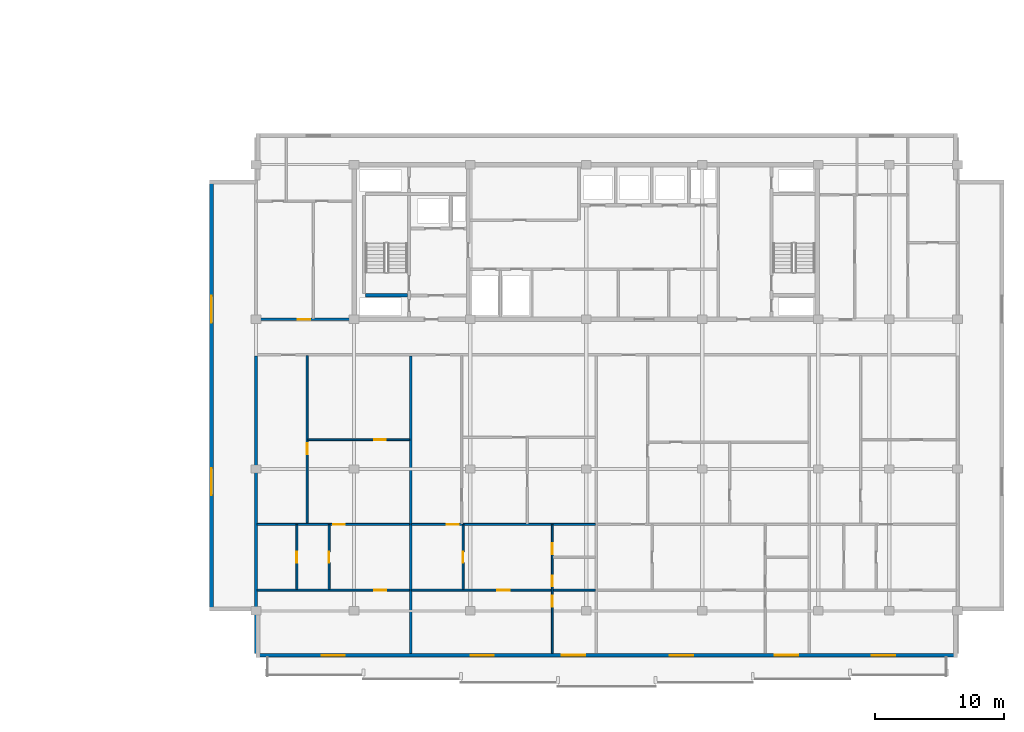
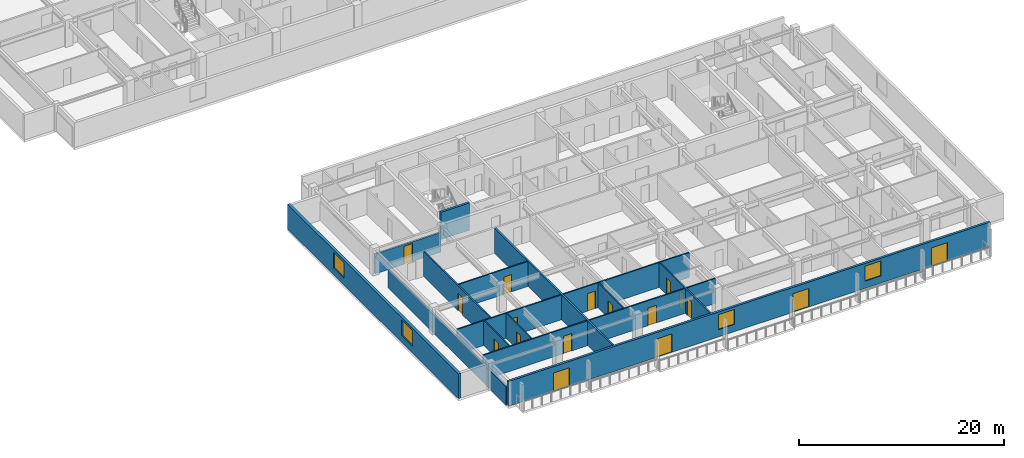
# One storey, part 4 of 21: 17 doors, 16 walls, 4 windows, 21 openings.
"""IFC4 building model written with IfcOpenShell, lengths in metres."""

from ifc_helpers import new_model, si_unit, direction, frame, frame_2d, origin, place, context, subcontext, project, spatial, rectangle, extrude, material, layer, layer_set, type_object, element, fill, save


model = new_model("IFC4")

# Units and contexts
model_context = context("Model", 3, precision=1e-05, world=origin(), true_north=direction((0.0, 1.0)))
body_context = subcontext(model_context, "Body", "Model", "MODEL_VIEW")
ifc_project = project(units=[si_unit("LENGTHUNIT", "METRE"), si_unit("AREAUNIT", "SQUARE_METRE"), si_unit("VOLUMEUNIT", "CUBIC_METRE"), si_unit("PLANEANGLEUNIT", "RADIAN"), si_unit("MASSUNIT", "GRAM", prefix="KILO")], contexts=[model_context])

# Site, building, storey
site_placement = place(None, origin())
site = spatial("IfcSite", under=ifc_project, at=site_placement, CompositionType="ELEMENT")
building_placement = place(site_placement, origin())
building = spatial("IfcBuilding", under=site, at=building_placement, Name="Korimba Cascade Residences", CompositionType="ELEMENT")
storey_placement = place(building_placement, frame((0.0, 0.0, 184.85009765625)))
storey = spatial("IfcBuildingStorey", under=building, at=storey_placement, Name="L53", CompositionType="ELEMENT", Elevation=184.85009765625)

# Wall, openings, doors, windows
ifc_material_1 = material(Name="Precast concrete C40/50", Category="concrete")
ifc_layer_1 = layer(ifc_material_1, 0.25)
ifc_layer_set_1 = layer_set([ifc_layer_1], Name="Precast concrete C40/50")
wall_type_1 = type_object("IfcWallType", Name="EW-LOG-250", PredefinedType="STANDARD", material=ifc_layer_set_1)
wall_1_placement = place(storey_placement, frame((74.5, -7.64990234375, 0.0), z_axis=(0.0, 0.0, 1.0), x_axis=(1.0, 0.0, 0.0)))
wall_1 = element("IfcWall", 1, at=wall_1_placement, inside=storey, type_object=wall_type_1, Name="L53 T2 Perimeter Stone Wall E00", PredefinedType="STANDARD", context=body_context, shape_type="SweptSolid", body=[
    extrude(rectangle(XDim=54.39990234375, YDim=0.25, at=frame_2d((27.199951171875, 0.0))), origin(), (0.0, 0.0, 1.0), 2.969970703125),
])
opening_1_placement = place(wall_1_placement, frame((5.091552734375, 0.0, 0.0)))
opening_1 = element("IfcOpeningElement", 2, at=opening_1_placement, cuts=wall_1, Name="Opening D-LG1", PredefinedType="OPENING", context=body_context, shape_type="SweptSolid", body=[
    extrude(rectangle(XDim=1.800048828125, YDim=2.199951171875, at=frame_2d((0.89990234375, 1.10009765625))), frame((0.0, 0.135009765625, 0.0), z_axis=(0.0, -1.0, 0.0), x_axis=(1.0, 0.0, 0.0)), (0.0, 0.0, 1.0), 0.27001953125),
])
opening_2_placement = place(wall_1_placement, frame((16.637451171875, 0.0, 0.0)))
opening_2 = element("IfcOpeningElement", 3, at=opening_2_placement, cuts=wall_1, Name="Opening D-LG1", PredefinedType="OPENING", context=body_context, shape_type="SweptSolid", body=[
    extrude(rectangle(XDim=1.800048828125, YDim=2.199951171875, at=frame_2d((0.89990234375, 1.10009765625))), frame((0.0, 0.135009765625, 0.0), z_axis=(0.0, -1.0, 0.0), x_axis=(1.0, 0.0, 0.0)), (0.0, 0.0, 1.0), 0.27001953125),
])
opening_3_placement = place(wall_1_placement, frame((23.7216796875, 0.0, 0.85009765625)))
opening_3 = element("IfcOpeningElement", 4, at=opening_3_placement, cuts=wall_1, Name="Opening W-02", PredefinedType="OPENING", context=body_context, shape_type="SweptSolid", body=[
    extrude(rectangle(XDim=1.800048828125, YDim=1.800048828125, at=frame_2d((0.89990234375, 0.89990234375))), frame((0.0, 0.135009765625, 0.0), z_axis=(0.0, -1.0, 0.0), x_axis=(1.0, 0.0, 0.0)), (0.0, 0.0, 1.0), 0.27001953125),
])
opening_4_placement = place(wall_1_placement, frame((32.099853515625, 0.0, 0.0)))
opening_4 = element("IfcOpeningElement", 5, at=opening_4_placement, cuts=wall_1, Name="Opening D-LG1", PredefinedType="OPENING", context=body_context, shape_type="SweptSolid", body=[
    extrude(rectangle(XDim=1.800048828125, YDim=2.199951171875, at=frame_2d((0.89990234375, 1.10009765625))), frame((0.0, 0.135009765625, 0.0), z_axis=(0.0, -1.0, 0.0), x_axis=(1.0, 0.0, 0.0)), (0.0, 0.0, 1.0), 0.27001953125),
])
opening_5_placement = place(wall_1_placement, frame((40.23828125, 0.0, 0.85009765625)))
opening_5 = element("IfcOpeningElement", 6, at=opening_5_placement, cuts=wall_1, Name="Opening W-02", PredefinedType="OPENING", context=body_context, shape_type="SweptSolid", body=[
    extrude(rectangle(XDim=1.800048828125, YDim=1.800048828125, at=frame_2d((0.89990234375, 0.89990234375))), frame((0.0, 0.135009765625, 0.0), z_axis=(0.0, -1.0, 0.0), x_axis=(1.0, 0.0, 0.0)), (0.0, 0.0, 1.0), 0.27001953125),
])
opening_6_placement = place(wall_1_placement, frame((47.754150390625, 0.0, 0.0)))
opening_6 = element("IfcOpeningElement", 7, at=opening_6_placement, cuts=wall_1, Name="Opening D-LG1", PredefinedType="OPENING", context=body_context, shape_type="SweptSolid", body=[
    extrude(rectangle(XDim=1.800048828125, YDim=2.199951171875, at=frame_2d((0.89990234375, 1.10009765625))), frame((0.0, 0.135009765625, 0.0), z_axis=(0.0, -1.0, 0.0), x_axis=(1.0, 0.0, 0.0)), (0.0, 0.0, 1.0), 0.27001953125),
])
ifc_material_2 = material(Name="Glazed Aluminium Loggia Sliding Door", Category="aluminium")
door_type_1 = type_object("IfcDoorType", Name="DR-EXT-LOG", OperationType="NOTDEFINED", PredefinedType="DOOR", material=ifc_material_2)
door_1_placement = place(opening_1_placement, origin())
door_1 = element("IfcDoor", 8, at=door_1_placement, inside=storey, type_object=door_type_1, Name="L53 T2 Loggia Sliding Door 3", OperationType="SLIDING_TO_RIGHT", OverallHeight=2.199951171875, OverallWidth=1.800048828125, PredefinedType="DOOR", context=body_context, shape_type="SweptSolid", body=[
    extrude(rectangle(XDim=1.800048828125, YDim=2.199951171875, at=frame_2d((0.89990234375, 1.10009765625))), frame((0.0, 0.02490234375, 0.0), z_axis=(0.0, -1.0, 0.0), x_axis=(1.0, 0.0, 0.0)), (0.0, 0.0, 1.0), 0.050048828125),
])
fill(opening_1, door_1)
door_2_placement = place(opening_2_placement, origin())
door_2 = element("IfcDoor", 9, at=door_2_placement, inside=storey, type_object=door_type_1, Name="L53 T2 Loggia Sliding Door 4", OperationType="SLIDING_TO_RIGHT", OverallHeight=2.199951171875, OverallWidth=1.800048828125, PredefinedType="DOOR", context=body_context, shape_type="SweptSolid", body=[
    extrude(rectangle(XDim=1.800048828125, YDim=2.199951171875, at=frame_2d((0.89990234375, 1.10009765625))), frame((0.0, 0.02490234375, 0.0), z_axis=(0.0, -1.0, 0.0), x_axis=(1.0, 0.0, 0.0)), (0.0, 0.0, 1.0), 0.050048828125),
])
fill(opening_2, door_2)
door_3_placement = place(opening_4_placement, origin())
door_3 = element("IfcDoor", 10, at=door_3_placement, inside=storey, type_object=door_type_1, Name="L53 T2 Loggia Sliding Door 6", OperationType="SLIDING_TO_RIGHT", OverallHeight=2.199951171875, OverallWidth=1.800048828125, PredefinedType="DOOR", context=body_context, shape_type="SweptSolid", body=[
    extrude(rectangle(XDim=1.800048828125, YDim=2.199951171875, at=frame_2d((0.89990234375, 1.10009765625))), frame((0.0, 0.02490234375, 0.0), z_axis=(0.0, -1.0, 0.0), x_axis=(1.0, 0.0, 0.0)), (0.0, 0.0, 1.0), 0.050048828125),
])
fill(opening_4, door_3)
door_4_placement = place(opening_6_placement, origin())
door_4 = element("IfcDoor", 11, at=door_4_placement, inside=storey, type_object=door_type_1, Name="L53 T2 Loggia Sliding Door 8", OperationType="SLIDING_TO_RIGHT", OverallHeight=2.199951171875, OverallWidth=1.800048828125, PredefinedType="DOOR", context=body_context, shape_type="SweptSolid", body=[
    extrude(rectangle(XDim=1.800048828125, YDim=2.199951171875, at=frame_2d((0.89990234375, 1.10009765625))), frame((0.0, 0.02490234375, 0.0), z_axis=(0.0, -1.0, 0.0), x_axis=(1.0, 0.0, 0.0)), (0.0, 0.0, 1.0), 0.050048828125),
])
fill(opening_6, door_4)
ifc_material_3 = material(Name="Double-Glazed Aluminium Window", Category="aluminium")
window_type_1 = type_object("IfcWindowType", Name="WIN-BED-1800", PartitioningType="SINGLE_PANEL", PredefinedType="WINDOW", material=ifc_material_3)
window_1_placement = place(opening_3_placement, origin())
window_1 = element("IfcWindow", 12, at=window_1_placement, inside=storey, type_object=window_type_1, Name="L53 T2 South Facade Window 5", OverallHeight=1.800048828125, OverallWidth=1.800048828125, PartitioningType="SINGLE_PANEL", PredefinedType="WINDOW", context=body_context, shape_type="SweptSolid", body=[
    extrude(rectangle(XDim=1.800048828125, YDim=1.800048828125, at=frame_2d((0.89990234375, 0.89990234375))), frame((0.0, 0.030029296875, 0.0), z_axis=(0.0, -1.0, 0.0), x_axis=(1.0, 0.0, 0.0)), (0.0, 0.0, 1.0), 0.06005859375),
])
fill(opening_3, window_1)
window_2_placement = place(opening_5_placement, origin())
window_2 = element("IfcWindow", 13, at=window_2_placement, inside=storey, type_object=window_type_1, Name="L53 T2 South Facade Window 7", OverallHeight=1.800048828125, OverallWidth=1.800048828125, PartitioningType="SINGLE_PANEL", PredefinedType="WINDOW", context=body_context, shape_type="SweptSolid", body=[
    extrude(rectangle(XDim=1.800048828125, YDim=1.800048828125, at=frame_2d((0.89990234375, 0.89990234375))), frame((0.0, 0.030029296875, 0.0), z_axis=(0.0, -1.0, 0.0), x_axis=(1.0, 0.0, 0.0)), (0.0, 0.0, 1.0), 0.06005859375),
])
fill(opening_5, window_2)

# Wall, openings, windows
ifc_layer_2 = layer(ifc_material_1, 0.300048828125)
ifc_layer_set_2 = layer_set([ifc_layer_2], Name="Precast concrete C40/50")
wall_type_2 = type_object("IfcWallType", Name="EW-STONE-300", PredefinedType="STANDARD", material=ifc_layer_set_2)
wall_2_placement = place(storey_placement, frame((71.050048828125, 29.199951171875, 0.0), z_axis=(0.0, 0.0, 1.0), x_axis=(0.0, -1.0, 0.0)))
wall_2 = element("IfcWall", 14, at=wall_2_placement, inside=storey, type_object=wall_type_2, Name="L53 T2 Perimeter Stone Wall E09", PredefinedType="STANDARD", context=body_context, shape_type="SweptSolid", body=[
    extrude(rectangle(XDim=33.39990234375, YDim=0.300048828125, at=frame_2d((16.699951171875, 0.0))), origin(), (0.0, 0.0, 1.0), 2.969970703125),
])
opening_7_placement = place(wall_2_placement, frame((8.969970703125, 0.0, 0.85009765625)))
opening_7 = element("IfcOpeningElement", 15, at=opening_7_placement, cuts=wall_2, Name="Opening W-03", PredefinedType="OPENING", context=body_context, shape_type="SweptSolid", body=[
    extrude(rectangle(XDim=2.10009765625, YDim=1.85009765625, at=frame_2d((1.050048828125, 0.925048828125))), frame((0.0, 0.16015625, 0.0), z_axis=(0.0, -1.0, 0.0), x_axis=(1.0, 0.0, 0.0)), (0.0, 0.0, 1.0), 0.320068359375),
])
opening_8_placement = place(wall_2_placement, frame((22.330078125, 0.0, 0.85009765625)))
opening_8 = element("IfcOpeningElement", 16, at=opening_8_placement, cuts=wall_2, Name="Opening W-03", PredefinedType="OPENING", context=body_context, shape_type="SweptSolid", body=[
    extrude(rectangle(XDim=2.10009765625, YDim=1.85009765625, at=frame_2d((1.050048828125, 0.925048828125))), frame((0.0, 0.16015625, 0.0), z_axis=(0.0, -1.0, 0.0), x_axis=(1.0, 0.0, 0.0)), (0.0, 0.0, 1.0), 0.320068359375),
])
window_type_2 = type_object("IfcWindowType", Name="WIN-CRN-2100", PartitioningType="DOUBLE_PANEL_HORIZONTAL", PredefinedType="WINDOW", material=ifc_material_3)
window_3_placement = place(opening_7_placement, origin())
window_3 = element("IfcWindow", 17, at=window_3_placement, inside=storey, type_object=window_type_2, Name="L53 T2 End View Window 9.1", OverallHeight=1.85009765625, OverallWidth=2.10009765625, PartitioningType="DOUBLE_PANEL_HORIZONTAL", PredefinedType="WINDOW", context=body_context, shape_type="SweptSolid", body=[
    extrude(rectangle(XDim=2.10009765625, YDim=1.85009765625, at=frame_2d((1.050048828125, 0.925048828125))), frame((0.0, 0.030029296875, 0.0), z_axis=(0.0, -1.0, 0.0), x_axis=(1.0, 0.0, 0.0)), (0.0, 0.0, 1.0), 0.06005859375),
])
fill(opening_7, window_3)
window_4_placement = place(opening_8_placement, origin())
window_4 = element("IfcWindow", 18, at=window_4_placement, inside=storey, type_object=window_type_2, Name="L53 T2 End View Window 9.2", OverallHeight=1.85009765625, OverallWidth=2.10009765625, PartitioningType="DOUBLE_PANEL_HORIZONTAL", PredefinedType="WINDOW", context=body_context, shape_type="SweptSolid", body=[
    extrude(rectangle(XDim=2.10009765625, YDim=1.85009765625, at=frame_2d((1.050048828125, 0.925048828125))), frame((0.0, 0.030029296875, 0.0), z_axis=(0.0, -1.0, 0.0), x_axis=(1.0, 0.0, 0.0)), (0.0, 0.0, 1.0), 0.06005859375),
])
fill(opening_8, window_4)

# Wall, opening, door
ifc_layer_3 = layer(ifc_material_1, 0.199951171875)
ifc_layer_set_3 = layer_set([ifc_layer_3], Name="Precast concrete C40/50")
wall_type_3 = type_object("IfcWallType", Name="WAL-IT-200", PredefinedType="PARTITIONING", material=ifc_layer_set_3)
wall_3_placement = place(storey_placement, frame((74.5, 18.39990234375, 0.0), z_axis=(0.0, 0.0, 1.0), x_axis=(1.0, 0.0, 0.0)))
wall_3 = element("IfcWall", 19, at=wall_3_placement, inside=storey, type_object=wall_type_3, Name="L53 Partition Wall WAL-L53-T2-FW-S", PredefinedType="PARTITIONING", context=body_context, shape_type="SweptSolid", body=[
    extrude(rectangle(XDim=7.449951171875, YDim=0.199951171875, at=frame_2d((3.72509765625, 0.0))), origin(), (0.0, 0.0, 1.0), 2.357666015625),
])
opening_9_placement = place(wall_3_placement, frame((3.25, 0.0, 0.0)))
opening_9 = element("IfcOpeningElement", 20, at=opening_9_placement, cuts=wall_3, Name="Opening D-UN1", PredefinedType="OPENING", context=body_context, shape_type="SweptSolid", body=[
    extrude(rectangle(XDim=0.949951171875, YDim=2.14990234375, at=frame_2d((0.47509765625, 1.074951171875))), frame((0.0, 0.10986328125, 0.0), z_axis=(0.0, -1.0, 0.0), x_axis=(1.0, 0.0, 0.0)), (0.0, 0.0, 1.0), 0.219970703125),
])
ifc_material_4 = material(Name="Fire-Rated Hardwood Apartment Entrance Door", Category="wood")
door_type_2 = type_object("IfcDoorType", Name="DR-FD60-950", OperationType="NOTDEFINED", PredefinedType="DOOR", material=ifc_material_4)
door_5_placement = place(opening_9_placement, origin())
door_5 = element("IfcDoor", 21, at=door_5_placement, inside=storey, type_object=door_type_2, Name="L53-T2-FW Entrance Door", OperationType="SINGLE_SWING_LEFT", OverallHeight=2.14990234375, OverallWidth=0.949951171875, PredefinedType="DOOR", context=body_context, shape_type="SweptSolid", body=[
    extrude(rectangle(XDim=0.949951171875, YDim=2.14990234375, at=frame_2d((0.47509765625, 1.074951171875))), frame((0.0, 0.02490234375, 0.0), z_axis=(0.0, -1.0, 0.0), x_axis=(1.0, 0.0, 0.0)), (0.0, 0.0, 1.0), 0.050048828125),
])
fill(opening_9, door_5)

# Walls
wall_4_placement = place(storey_placement, frame((74.5, -7.5, 0.0), z_axis=(0.0, 0.0, 1.0), x_axis=(0.0, 1.0, 0.0)))
element("IfcWall", 22, at=wall_4_placement, inside=storey, type_object=wall_type_3, Name="L53 Partition Wall WAL-L53-T2-BNDWL", PredefinedType="PARTITIONING", context=body_context, shape_type="SweptSolid", body=[
    extrude(rectangle(XDim=23.070068359375, YDim=0.199951171875, at=frame_2d((11.53515625, 0.0))), origin(), (0.0, 0.0, 1.0), 2.2001953125),
])
wall_5_placement = place(storey_placement, frame((86.4833984375, -7.5, 0.0), z_axis=(0.0, 0.0, 1.0), x_axis=(0.0, 1.0, 0.0)))
element("IfcWall", 23, at=wall_5_placement, inside=storey, type_object=wall_type_3, Name="L53 Partition Wall WAL-L53-T2-DEM-1", PredefinedType="PARTITIONING", context=body_context, shape_type="SweptSolid", body=[
    extrude(rectangle(XDim=23.070068359375, YDim=0.199951171875, at=frame_2d((11.53515625, 0.0))), origin(), (0.0, 0.0, 1.0), 2.969970703125),
])

# Wall, opening, door
ifc_material_5 = material(Name="Insulated Acoustic Stud Partition", Category="gypsum")
ifc_layer_4 = layer(ifc_material_5, 0.14990234375)
ifc_layer_set_4 = layer_set([ifc_layer_4], Name="Insulated Acoustic Stud Partition")
wall_type_4 = type_object("IfcWallType", Name="WAL-PART-150", PredefinedType="PARTITIONING", material=ifc_layer_set_4)
wall_6_placement = place(storey_placement, frame((78.530029296875, 9.06494140625, 0.0), z_axis=(0.0, 0.0, 1.0), x_axis=(1.0, 0.0, 0.0)))
wall_6 = element("IfcWall", 24, at=wall_6_placement, inside=storey, type_object=wall_type_4, Name="L53 Partition Wall WAL-L53-T2-U01-FMH", PredefinedType="PARTITIONING", context=body_context, shape_type="SweptSolid", body=[
    extrude(rectangle(XDim=7.873291015625, YDim=0.14990234375, at=frame_2d((3.9365234375, 0.0))), origin(), (0.0, 0.0, 1.0), 2.969970703125),
])
opening_10_placement = place(wall_6_placement, frame((5.1328125, 0.0, 0.0)))
opening_10 = element("IfcOpeningElement", 25, at=opening_10_placement, cuts=wall_6, Name="Opening D-IN2", PredefinedType="OPENING", context=body_context, shape_type="SweptSolid", body=[
    extrude(rectangle(XDim=0.8798828125, YDim=2.06005859375, at=frame_2d((0.43994140625, 1.030029296875))), frame((0.0, 0.0849609375, 0.0), z_axis=(0.0, -1.0, 0.0), x_axis=(1.0, 0.0, 0.0)), (0.0, 0.0, 1.0), 0.169921875),
])
ifc_material_6 = material(Name="Acoustic Timber Bedroom Door", Category="wood")
door_type_3 = type_object("IfcDoorType", Name="DR-INT-880", OperationType="NOTDEFINED", PredefinedType="DOOR", material=ifc_material_6)
door_6_placement = place(opening_10_placement, origin())
door_6 = element("IfcDoor", 26, at=door_6_placement, inside=storey, type_object=door_type_3, Name="L53-T2-U01 Library Salon Door", OperationType="SINGLE_SWING_RIGHT", OverallHeight=2.06005859375, OverallWidth=0.8798828125, PredefinedType="DOOR", context=body_context, shape_type="SweptSolid", body=[
    extrude(rectangle(XDim=0.8798828125, YDim=2.06005859375, at=frame_2d((0.43994140625, 1.030029296875))), frame((0.0, 0.02490234375, 0.0), z_axis=(0.0, -1.0, 0.0), x_axis=(1.0, 0.0, 0.0)), (0.0, 0.0, 1.0), 0.050048828125),
])
fill(opening_10, door_6)

wall_7_placement = place(storey_placement, frame((78.469970703125, 2.5400390625, 0.0), z_axis=(0.0, 0.0, 1.0), x_axis=(0.0, 1.0, 0.0)))
wall_7 = element("IfcWall", 27, at=wall_7_placement, inside=storey, type_object=wall_type_4, Name="L53 Partition Wall WAL-L53-T2-U01-FV", PredefinedType="PARTITIONING", context=body_context, shape_type="SweptSolid", body=[
    extrude(rectangle(XDim=13.050048828125, YDim=0.14990234375, at=frame_2d((6.52490234375, 0.0))), origin(), (0.0, 0.0, 1.0), 2.969970703125),
])
opening_11_placement = place(wall_7_placement, frame((5.39501953125, 0.0, 0.0)))
opening_11 = element("IfcOpeningElement", 28, at=opening_11_placement, cuts=wall_7, Name="Opening D-IN2", PredefinedType="OPENING", context=body_context, shape_type="SweptSolid", body=[
    extrude(rectangle(XDim=0.8798828125, YDim=2.06005859375, at=frame_2d((0.43994140625, 1.030029296875))), frame((0.0, 0.0849609375, 0.0), z_axis=(0.0, -1.0, 0.0), x_axis=(1.0, 0.0, 0.0)), (0.0, 0.0, 1.0), 0.169921875),
])
door_7_placement = place(opening_11_placement, origin())
door_7 = element("IfcDoor", 29, at=door_7_placement, inside=storey, type_object=door_type_3, Name="L53-T2-U01 Media Lounge Door", OperationType="SINGLE_SWING_LEFT", OverallHeight=2.06005859375, OverallWidth=0.8798828125, PredefinedType="DOOR", context=body_context, shape_type="SweptSolid", body=[
    extrude(rectangle(XDim=0.8798828125, YDim=2.06005859375, at=frame_2d((0.43994140625, 1.030029296875))), frame((0.0, 0.02490234375, 0.0), z_axis=(0.0, -1.0, 0.0), x_axis=(1.0, 0.0, 0.0)), (0.0, 0.0, 1.0), 0.050048828125),
])
fill(opening_11, door_7)

wall_8_placement = place(storey_placement, frame((77.663330078125, -2.5400390625, 0.0), z_axis=(0.0, 0.0, 1.0), x_axis=(0.0, 1.0, 0.0)))
wall_8 = element("IfcWall", 30, at=wall_8_placement, inside=storey, type_object=wall_type_4, Name="L53 Partition Wall WAL-L53-T2-U01-CLS", PredefinedType="PARTITIONING", context=body_context, shape_type="SweptSolid", body=[
    extrude(rectangle(XDim=5.0, YDim=0.14990234375, at=frame_2d((2.5, 0.0))), origin(), (0.0, 0.0, 1.0), 2.969970703125),
])
opening_12_placement = place(wall_8_placement, frame((2.080078125, 0.0, 0.0)))
opening_12 = element("IfcOpeningElement", 31, at=opening_12_placement, cuts=wall_8, Name="Opening D-BT1", PredefinedType="OPENING", context=body_context, shape_type="SweptSolid", body=[
    extrude(rectangle(XDim=0.840087890625, YDim=2.0400390625, at=frame_2d((0.419921875, 1.02001953125))), frame((0.0, 0.0849609375, 0.0), z_axis=(0.0, -1.0, 0.0), x_axis=(1.0, 0.0, 0.0)), (0.0, 0.0, 1.0), 0.169921875),
])
ifc_material_7 = material(Name="Moisture-Resistant Bathroom Timber Door", Category="wood")
door_type_4 = type_object("IfcDoorType", Name="DR-INT-850", OperationType="NOTDEFINED", PredefinedType="DOOR", material=ifc_material_7)
door_8_placement = place(opening_12_placement, origin())
door_8 = element("IfcDoor", 32, at=door_8_placement, inside=storey, type_object=door_type_4, Name="L53-T2-U01 Closet Door", OperationType="SINGLE_SWING_RIGHT", OverallHeight=2.0400390625, OverallWidth=0.840087890625, PredefinedType="DOOR", context=body_context, shape_type="SweptSolid", body=[
    extrude(rectangle(XDim=0.840087890625, YDim=2.0400390625, at=frame_2d((0.419921875, 1.02001953125))), frame((0.0, 0.02490234375, 0.0), z_axis=(0.0, -1.0, 0.0), x_axis=(1.0, 0.0, 0.0)), (0.0, 0.0, 1.0), 0.050048828125),
])
fill(opening_12, door_8)

wall_9_placement = place(storey_placement, frame((80.163330078125, -2.5400390625, 0.0), z_axis=(0.0, 0.0, 1.0), x_axis=(0.0, 1.0, 0.0)))
wall_9 = element("IfcWall", 33, at=wall_9_placement, inside=storey, type_object=wall_type_4, Name="L53 Partition Wall WAL-L53-T2-U01-BM", PredefinedType="PARTITIONING", context=body_context, shape_type="SweptSolid", body=[
    extrude(rectangle(XDim=5.0, YDim=0.14990234375, at=frame_2d((2.5, 0.0))), origin(), (0.0, 0.0, 1.0), 2.969970703125),
])
opening_13_placement = place(wall_9_placement, frame((2.080078125, 0.0, 0.0)))
opening_13 = element("IfcOpeningElement", 34, at=opening_13_placement, cuts=wall_9, Name="Opening D-BT1", PredefinedType="OPENING", context=body_context, shape_type="SweptSolid", body=[
    extrude(rectangle(XDim=0.840087890625, YDim=2.0400390625, at=frame_2d((0.419921875, 1.02001953125))), frame((0.0, 0.0849609375, 0.0), z_axis=(0.0, -1.0, 0.0), x_axis=(1.0, 0.0, 0.0)), (0.0, 0.0, 1.0), 0.169921875),
])
door_9_placement = place(opening_13_placement, origin())
door_9 = element("IfcDoor", 35, at=door_9_placement, inside=storey, type_object=door_type_4, Name="L53-T2-U01 Bathroom Door", OperationType="SINGLE_SWING_LEFT", OverallHeight=2.0400390625, OverallWidth=0.840087890625, PredefinedType="DOOR", context=body_context, shape_type="SweptSolid", body=[
    extrude(rectangle(XDim=0.840087890625, YDim=2.0400390625, at=frame_2d((0.419921875, 1.02001953125))), frame((0.0, 0.02490234375, 0.0), z_axis=(0.0, -1.0, 0.0), x_axis=(1.0, 0.0, 0.0)), (0.0, 0.0, 1.0), 0.050048828125),
])
fill(opening_13, door_9)

wall_10_placement = place(storey_placement, frame((74.580078125, 2.5, 0.0), z_axis=(0.0, 0.0, 1.0), x_axis=(1.0, 0.0, 0.0)))
wall_10 = element("IfcWall", 36, at=wall_10_placement, inside=storey, type_object=wall_type_4, Name="L53 Partition Wall WAL-L53-T2-U01-MW", PredefinedType="PARTITIONING", context=body_context, shape_type="SweptSolid", body=[
    extrude(rectangle(XDim=11.8232421875, YDim=0.14990234375, at=frame_2d((5.91162109375, 0.0))), origin(), (0.0, 0.0, 1.0), 2.969970703125),
])
opening_14_placement = place(wall_10_placement, frame((5.8994140625, 0.0, 0.0)))
opening_14 = element("IfcOpeningElement", 37, at=opening_14_placement, cuts=wall_10, Name="Opening D-IN1", PredefinedType="OPENING", context=body_context, shape_type="SweptSolid", body=[
    extrude(rectangle(XDim=0.919921875, YDim=2.080078125, at=frame_2d((0.4599609375, 1.0400390625))), frame((0.0, 0.0849609375, 0.0), z_axis=(0.0, -1.0, 0.0), x_axis=(1.0, 0.0, 0.0)), (0.0, 0.0, 1.0), 0.169921875),
])
ifc_material_8 = material(Name="Acoustic Timber Living Door", Category="wood")
door_type_5 = type_object("IfcDoorType", Name="DR-INT-920", OperationType="NOTDEFINED", PredefinedType="DOOR", material=ifc_material_8)
door_10_placement = place(opening_14_placement, origin())
door_10 = element("IfcDoor", 38, at=door_10_placement, inside=storey, type_object=door_type_5, Name="L53-T2-U01 Studio Kitchen Door", OperationType="SINGLE_SWING_RIGHT", OverallHeight=2.080078125, OverallWidth=0.919921875, PredefinedType="DOOR", context=body_context, shape_type="SweptSolid", body=[
    extrude(rectangle(XDim=0.919921875, YDim=2.080078125, at=frame_2d((0.4599609375, 1.0400390625))), frame((0.0, 0.02490234375, 0.0), z_axis=(0.0, -1.0, 0.0), x_axis=(1.0, 0.0, 0.0)), (0.0, 0.0, 1.0), 0.050048828125),
])
fill(opening_14, door_10)

wall_11_placement = place(storey_placement, frame((74.580078125, -2.60009765625, 0.0), z_axis=(0.0, 0.0, 1.0), x_axis=(1.0, 0.0, 0.0)))
wall_11 = element("IfcWall", 39, at=wall_11_placement, inside=storey, type_object=wall_type_4, Name="L53 Partition Wall WAL-L53-T2-U01-HZ", PredefinedType="PARTITIONING", context=body_context, shape_type="SweptSolid", body=[
    extrude(rectangle(XDim=11.8232421875, YDim=0.14990234375, at=frame_2d((5.91162109375, 0.0))), origin(), (0.0, 0.0, 1.0), 2.969970703125),
])
opening_15_placement = place(wall_11_placement, frame((9.083740234375, 0.0, 0.0)))
opening_15 = element("IfcOpeningElement", 40, at=opening_15_placement, cuts=wall_11, Name="Opening D-IN1", PredefinedType="OPENING", context=body_context, shape_type="SweptSolid", body=[
    extrude(rectangle(XDim=0.919921875, YDim=2.080078125, at=frame_2d((0.4599609375, 1.0400390625))), frame((0.0, 0.0849609375, 0.0), z_axis=(0.0, -1.0, 0.0), x_axis=(1.0, 0.0, 0.0)), (0.0, 0.0, 1.0), 0.169921875),
])
door_11_placement = place(opening_15_placement, origin())
door_11 = element("IfcDoor", 41, at=door_11_placement, inside=storey, type_object=door_type_5, Name="L53-T2-U01 Studio Door", OperationType="SINGLE_SWING_LEFT", OverallHeight=2.080078125, OverallWidth=0.919921875, PredefinedType="DOOR", context=body_context, shape_type="SweptSolid", body=[
    extrude(rectangle(XDim=0.919921875, YDim=2.080078125, at=frame_2d((0.4599609375, 1.0400390625))), frame((0.0, 0.02490234375, 0.0), z_axis=(0.0, -1.0, 0.0), x_axis=(1.0, 0.0, 0.0)), (0.0, 0.0, 1.0), 0.050048828125),
])
fill(opening_15, door_11)

wall_12_placement = place(storey_placement, frame((90.55322265625, -2.5400390625, 0.0), z_axis=(0.0, 0.0, 1.0), x_axis=(0.0, 1.0, 0.0)))
wall_12 = element("IfcWall", 42, at=wall_12_placement, inside=storey, type_object=wall_type_4, Name="L53 Partition Wall WAL-L53-T2-U02-VDIN", PredefinedType="PARTITIONING", context=body_context, shape_type="SweptSolid", body=[
    extrude(rectangle(XDim=5.0, YDim=0.14990234375, at=frame_2d((2.5, 0.0))), origin(), (0.0, 0.0, 1.0), 2.969970703125),
])
opening_16_placement = place(wall_12_placement, frame((2.06005859375, 0.0, 0.0)))
opening_16 = element("IfcOpeningElement", 43, at=opening_16_placement, cuts=wall_12, Name="Opening D-IN2", PredefinedType="OPENING", context=body_context, shape_type="SweptSolid", body=[
    extrude(rectangle(XDim=0.8798828125, YDim=2.06005859375, at=frame_2d((0.43994140625, 1.030029296875))), frame((0.0, 0.0849609375, 0.0), z_axis=(0.0, -1.0, 0.0), x_axis=(1.0, 0.0, 0.0)), (0.0, 0.0, 1.0), 0.169921875),
])
door_12_placement = place(opening_16_placement, origin())
door_12 = element("IfcDoor", 44, at=door_12_placement, inside=storey, type_object=door_type_3, Name="L53-T2-U02 Dining Room Door", OperationType="SINGLE_SWING_LEFT", OverallHeight=2.06005859375, OverallWidth=0.8798828125, PredefinedType="DOOR", context=body_context, shape_type="SweptSolid", body=[
    extrude(rectangle(XDim=0.8798828125, YDim=2.06005859375, at=frame_2d((0.43994140625, 1.030029296875))), frame((0.0, 0.02490234375, 0.0), z_axis=(0.0, -1.0, 0.0), x_axis=(1.0, 0.0, 0.0)), (0.0, 0.0, 1.0), 0.050048828125),
])
fill(opening_16, door_12)

# Wall, openings, doors
wall_13_placement = place(storey_placement, frame((97.4716796875, -7.5, 0.0), z_axis=(0.0, 0.0, 1.0), x_axis=(0.0, 1.0, 0.0)))
wall_13 = element("IfcWall", 45, at=wall_13_placement, inside=storey, type_object=wall_type_4, Name="L53 Partition Wall WAL-L53-T2-U02-V1", PredefinedType="PARTITIONING", context=body_context, shape_type="SweptSolid", body=[
    extrude(rectangle(XDim=9.9599609375, YDim=0.14990234375, at=frame_2d((4.97998046875, 0.0))), origin(), (0.0, 0.0, 1.0), 2.969970703125),
])
opening_17_placement = place(wall_13_placement, frame((5.199951171875, 0.0, 0.0)))
opening_17 = element("IfcOpeningElement", 46, at=opening_17_placement, cuts=wall_13, Name="Opening D-BT1", PredefinedType="OPENING", context=body_context, shape_type="SweptSolid", body=[
    extrude(rectangle(XDim=0.840087890625, YDim=2.0400390625, at=frame_2d((0.419921875, 1.02001953125))), frame((0.0, 0.0849609375, 0.0), z_axis=(0.0, -1.0, 0.0), x_axis=(1.0, 0.0, 0.0)), (0.0, 0.0, 1.0), 0.169921875),
])
opening_18_placement = place(wall_13_placement, frame((7.689697265625, 0.0, 0.0)))
opening_18 = element("IfcOpeningElement", 47, at=opening_18_placement, cuts=wall_13, Name="Opening D-BT1", PredefinedType="OPENING", context=body_context, shape_type="SweptSolid", body=[
    extrude(rectangle(XDim=0.840087890625, YDim=2.0400390625, at=frame_2d((0.419921875, 1.02001953125))), frame((0.0, 0.0849609375, 0.0), z_axis=(0.0, -1.0, 0.0), x_axis=(1.0, 0.0, 0.0)), (0.0, 0.0, 1.0), 0.169921875),
])
opening_19_placement = place(wall_13_placement, frame((3.60009765625, 0.0, 0.0)))
opening_19 = element("IfcOpeningElement", 48, at=opening_19_placement, cuts=wall_13, Name="Opening D-IN2", PredefinedType="OPENING", context=body_context, shape_type="SweptSolid", body=[
    extrude(rectangle(XDim=0.8798828125, YDim=2.06005859375, at=frame_2d((0.43994140625, 1.030029296875))), frame((0.0, 0.0849609375, 0.0), z_axis=(0.0, -1.0, 0.0), x_axis=(1.0, 0.0, 0.0)), (0.0, 0.0, 1.0), 0.169921875),
])
door_13_placement = place(opening_17_placement, origin())
door_13 = element("IfcDoor", 49, at=door_13_placement, inside=storey, type_object=door_type_4, Name="L53-T2-U02 Bathroom Door", OperationType="SINGLE_SWING_RIGHT", OverallHeight=2.0400390625, OverallWidth=0.840087890625, PredefinedType="DOOR", context=body_context, shape_type="SweptSolid", body=[
    extrude(rectangle(XDim=0.840087890625, YDim=2.0400390625, at=frame_2d((0.419921875, 1.02001953125))), frame((0.0, 0.02490234375, 0.0), z_axis=(0.0, -1.0, 0.0), x_axis=(1.0, 0.0, 0.0)), (0.0, 0.0, 1.0), 0.050048828125),
])
fill(opening_17, door_13)
door_14_placement = place(opening_18_placement, origin())
door_14 = element("IfcDoor", 50, at=door_14_placement, inside=storey, type_object=door_type_4, Name="L53-T2-U02 Laundry Door", OperationType="SINGLE_SWING_LEFT", OverallHeight=2.0400390625, OverallWidth=0.840087890625, PredefinedType="DOOR", context=body_context, shape_type="SweptSolid", body=[
    extrude(rectangle(XDim=0.840087890625, YDim=2.0400390625, at=frame_2d((0.419921875, 1.02001953125))), frame((0.0, 0.02490234375, 0.0), z_axis=(0.0, -1.0, 0.0), x_axis=(1.0, 0.0, 0.0)), (0.0, 0.0, 1.0), 0.050048828125),
])
fill(opening_18, door_14)
door_15_placement = place(opening_19_placement, origin())
door_15 = element("IfcDoor", 51, at=door_15_placement, inside=storey, type_object=door_type_3, Name="L53-T2-U02 Bedroom 1 Door", OperationType="SINGLE_SWING_RIGHT", OverallHeight=2.06005859375, OverallWidth=0.8798828125, PredefinedType="DOOR", context=body_context, shape_type="SweptSolid", body=[
    extrude(rectangle(XDim=0.8798828125, YDim=2.06005859375, at=frame_2d((0.43994140625, 1.030029296875))), frame((0.0, 0.02490234375, 0.0), z_axis=(0.0, -1.0, 0.0), x_axis=(1.0, 0.0, 0.0)), (0.0, 0.0, 1.0), 0.050048828125),
])
fill(opening_19, door_15)

# Wall, opening, door
wall_14_placement = place(storey_placement, frame((86.563232421875, 2.5, 0.0), z_axis=(0.0, 0.0, 1.0), x_axis=(1.0, 0.0, 0.0)))
wall_14 = element("IfcWall", 52, at=wall_14_placement, inside=storey, type_object=wall_type_4, Name="L53 Partition Wall WAL-L53-T2-U02-MW", PredefinedType="PARTITIONING", context=body_context, shape_type="SweptSolid", body=[
    extrude(rectangle(XDim=14.248291015625, YDim=0.14990234375, at=frame_2d((7.1240234375, 0.0))), origin(), (0.0, 0.0, 1.0), 2.969970703125),
])
opening_20_placement = place(wall_14_placement, frame((2.719970703125, 0.0, 0.0)))
opening_20 = element("IfcOpeningElement", 53, at=opening_20_placement, cuts=wall_14, Name="Opening D-IN1", PredefinedType="OPENING", context=body_context, shape_type="SweptSolid", body=[
    extrude(rectangle(XDim=0.919921875, YDim=2.080078125, at=frame_2d((0.4599609375, 1.0400390625))), frame((0.0, 0.0849609375, 0.0), z_axis=(0.0, -1.0, 0.0), x_axis=(1.0, 0.0, 0.0)), (0.0, 0.0, 1.0), 0.169921875),
])
door_16_placement = place(opening_20_placement, origin())
door_16 = element("IfcDoor", 54, at=door_16_placement, inside=storey, type_object=door_type_5, Name="L53-T2-U02 Kitchen Archway Door", OperationType="SINGLE_SWING_LEFT", OverallHeight=2.080078125, OverallWidth=0.919921875, PredefinedType="DOOR", context=body_context, shape_type="SweptSolid", body=[
    extrude(rectangle(XDim=0.919921875, YDim=2.080078125, at=frame_2d((0.4599609375, 1.0400390625))), frame((0.0, 0.02490234375, 0.0), z_axis=(0.0, -1.0, 0.0), x_axis=(1.0, 0.0, 0.0)), (0.0, 0.0, 1.0), 0.050048828125),
])
fill(opening_20, door_16)

wall_15_placement = place(storey_placement, frame((86.563232421875, -2.60009765625, 0.0), z_axis=(0.0, 0.0, 1.0), x_axis=(1.0, 0.0, 0.0)))
wall_15 = element("IfcWall", 55, at=wall_15_placement, inside=storey, type_object=wall_type_4, Name="L53 Partition Wall WAL-L53-T2-U02-HZ", PredefinedType="PARTITIONING", context=body_context, shape_type="SweptSolid", body=[
    extrude(rectangle(XDim=14.248291015625, YDim=0.14990234375, at=frame_2d((7.1240234375, 0.0))), origin(), (0.0, 0.0, 1.0), 2.969970703125),
])
opening_21_placement = place(wall_15_placement, frame((6.654296875, 0.0, 0.0)))
opening_21 = element("IfcOpeningElement", 56, at=opening_21_placement, cuts=wall_15, Name="Opening D-IN0", PredefinedType="OPENING", context=body_context, shape_type="SweptSolid", body=[
    extrude(rectangle(XDim=0.93994140625, YDim=2.10009765625, at=frame_2d((0.469970703125, 1.050048828125))), frame((0.0, 0.0849609375, 0.0), z_axis=(0.0, -1.0, 0.0), x_axis=(1.0, 0.0, 0.0)), (0.0, 0.0, 1.0), 0.169921875),
])
ifc_material_9 = material(Name="Acoustic Timber Living Archway Door", Category="wood")
door_type_6 = type_object("IfcDoorType", Name="DR-INT-950", OperationType="NOTDEFINED", PredefinedType="DOOR", material=ifc_material_9)
door_17_placement = place(opening_21_placement, origin())
door_17 = element("IfcDoor", 57, at=door_17_placement, inside=storey, type_object=door_type_6, Name="L53-T2-U02 Living Archway Door", OperationType="SINGLE_SWING_RIGHT", OverallHeight=2.10009765625, OverallWidth=0.93994140625, PredefinedType="DOOR", context=body_context, shape_type="SweptSolid", body=[
    extrude(rectangle(XDim=0.93994140625, YDim=2.10009765625, at=frame_2d((0.469970703125, 1.050048828125))), frame((0.0, 0.02490234375, 0.0), z_axis=(0.0, -1.0, 0.0), x_axis=(1.0, 0.0, 0.0)), (0.0, 0.0, 1.0), 0.050048828125),
])
fill(opening_21, door_17)

# Wall
ifc_material_10 = material(Name="Concrete C50/60", Category="concrete")
ifc_layer_5 = layer(ifc_material_10, 0.25)
ifc_layer_set_5 = layer_set([ifc_layer_5], Name="Concrete C50/60")
wall_type_5 = type_object("IfcWallType", Name="WAL-SHAFT-250", PredefinedType="SHEAR", material=ifc_layer_set_5)
wall_16_placement = place(storey_placement, frame((83.0, 20.27490234375, 0.0), z_axis=(0.0, 0.0, 1.0), x_axis=(1.0, 0.0, 0.0)))
element("IfcWall", 58, at=wall_16_placement, inside=storey, type_object=wall_type_5, Name="L53 Core Shear Wall CW-L53-T2-STE1S", PredefinedType="SHEAR", context=body_context, shape_type="SweptSolid", body=[
    extrude(rectangle(XDim=3.239990234375, YDim=0.25, at=frame_2d((1.6201171875, 0.0))), origin(), (0.0, 0.0, 1.0), 3.25),
])

save(model, "model.ifc")
